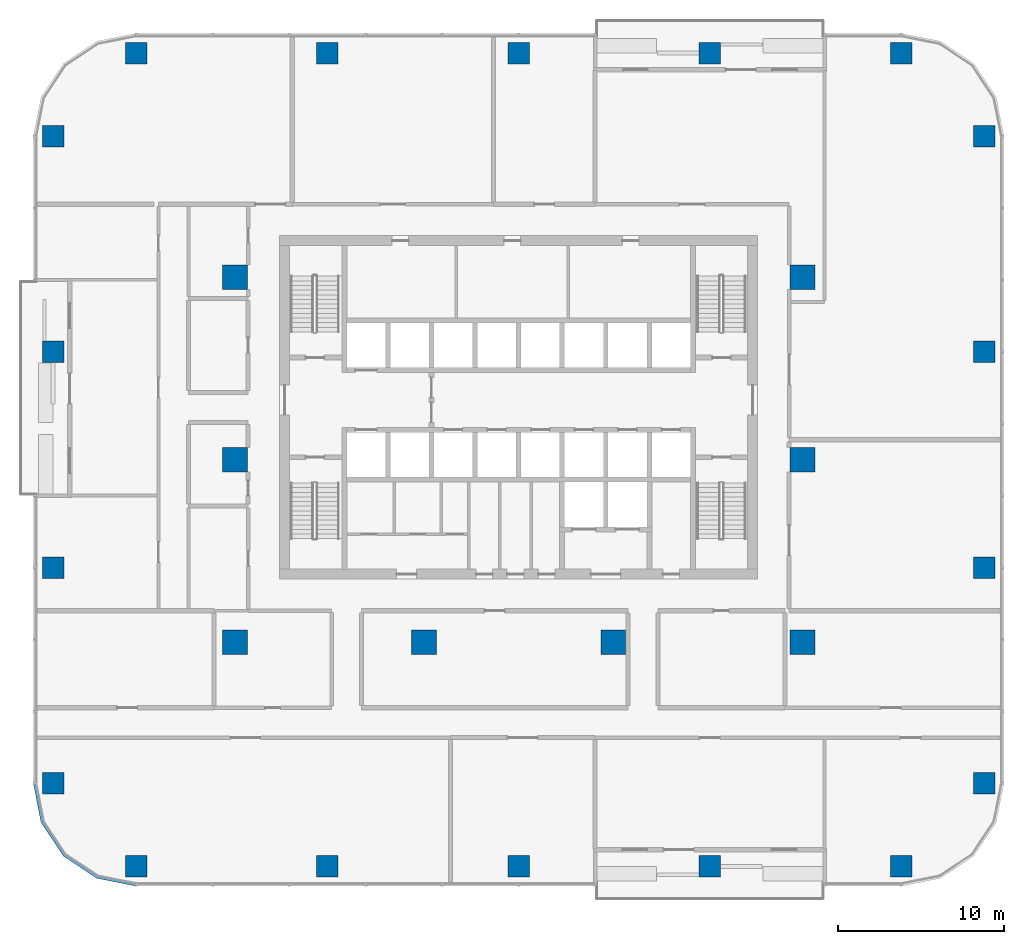
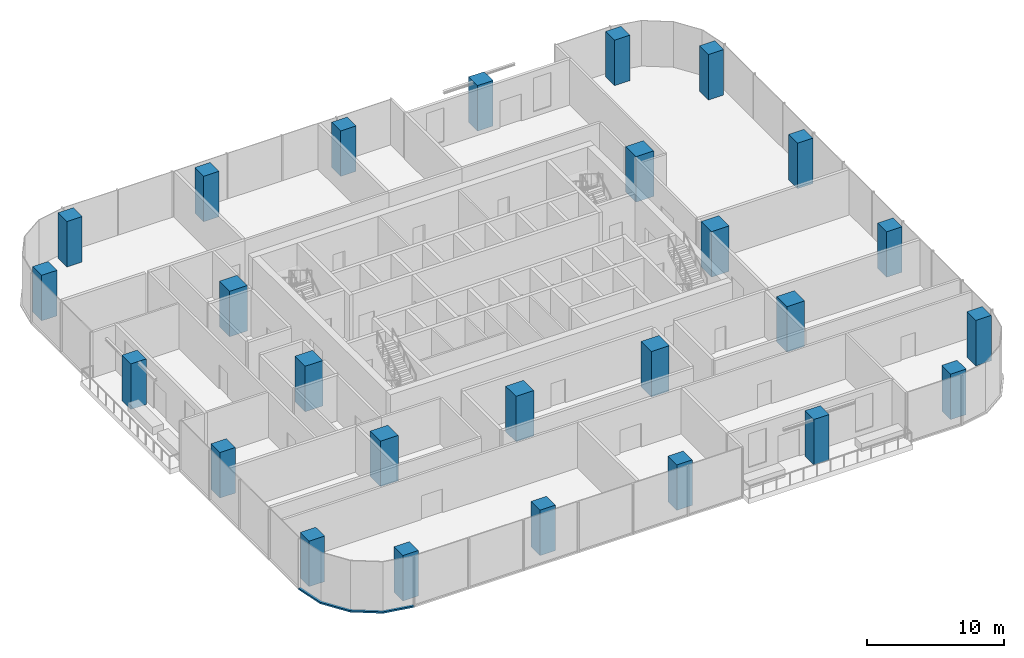
# One storey, part 1 of 15: 26 columns, 1 member, 1 element without a shape of its own.
"""IFC4 building model written with IfcOpenShell, lengths in metres."""

import ifcopenshell
import ifcopenshell.guid

model = None  # the IFC model being written
_history = None  # IfcOwnerHistory: only IFC2X3 demands one
_inside = {}  # id of a spatial element -> (the spatial element, [elements in it])
_under = {}  # id of a project, library or spatial element -> (it, [spatial elements below it])
_declared = {}  # id of a project -> (the project, [libraries it declares])
_typed = {}  # id of a type object -> (the type object, [elements of that type])
_made_of = {}  # id of a material, layer set ... -> (it, [elements and type objects made of it])


def new_model(schema):
    """Start an empty IFC model of exactly this schema.

    Asked for "IFC4X3", IfcOpenShell would pick the latest addendum, in which some entities
    have other attributes; the version numbers below select the first issue.
    IFC2X3 requires an IfcOwnerHistory on every rooted entity: one is made here for all.
    """
    global model, _history
    if schema == "IFC4X3":
        model = ifcopenshell.file(schema_version=(4, 3, 0, 0))
    else:
        model = ifcopenshell.file(schema=schema)
    _inside.clear()
    _under.clear()
    _declared.clear()
    _typed.clear()
    _made_of.clear()
    _history = None
    if model.schema == "IFC2X3":
        org = make("IfcOrganization", Name="unknown")
        user = make(
            "IfcPersonAndOrganization",
            ThePerson=make("IfcPerson", FamilyName="unknown"),
            TheOrganization=org,
        )
        app = make(
            "IfcApplication",
            ApplicationDeveloper=org,
            Version="unknown",
            ApplicationFullName="unknown",
            ApplicationIdentifier="unknown",
        )
        _history = make(
            "IfcOwnerHistory",
            OwningUser=user,
            OwningApplication=app,
            ChangeAction="ADDED",
            CreationDate=0,
        )
    return model


def make(cls, **values):
    """One entity of the class cls with the attributes given. An attribute that is None is left unset."""
    return model.create_entity(
        cls, **{name: value for name, value in values.items() if value is not None}
    )


def rooted(cls, **values):
    """An entity with a GlobalId (a new one), such as an element, a storey or a relation."""
    return make(cls, GlobalId=ifcopenshell.guid.new(), OwnerHistory=_history, **values)


def si_unit(unit_type, name, prefix=None):
    """IfcSIUnit, for example si_unit("LENGTHUNIT", "METRE", prefix="MILLI")."""
    return make("IfcSIUnit", UnitType=unit_type, Prefix=prefix, Name=name)


def assignment(units):
    """IfcUnitAssignment: the units of a project."""
    return None if units is None else make("IfcUnitAssignment", Units=units)


def point(xyz):
    """IfcCartesianPoint."""
    return None if xyz is None else make("IfcCartesianPoint", Coordinates=xyz)


def direction(xyz):
    """IfcDirection."""
    return None if xyz is None else make("IfcDirection", DirectionRatios=xyz)


def frame(location, z_axis=None, x_axis=None):
    """IfcAxis2Placement3D, a coordinate frame: its origin and axes. An axis left out is left unset."""
    return make(
        "IfcAxis2Placement3D",
        Location=point(location),
        Axis=direction(z_axis),
        RefDirection=direction(x_axis),
    )


def frame_2d(location, x_axis=None):
    """IfcAxis2Placement2D, a coordinate frame in the plane: its origin and x axis."""
    return make(
        "IfcAxis2Placement2D", Location=point(location), RefDirection=direction(x_axis)
    )


def origin():
    """The frame at (0, 0, 0) with its axes left unset."""
    return frame((0.0, 0.0, 0.0))


def origin_2d():
    """The frame at (0, 0) in the plane with its x axis left unset."""
    return frame_2d((0.0, 0.0))


def place(relative_to, where):
    """IfcLocalPlacement: puts the frame where relative to a parent placement (None: the world)."""
    return make(
        "IfcLocalPlacement", PlacementRelTo=relative_to, RelativePlacement=where
    )


def context(
    kind, dimensions, precision=None, world=None, true_north=None, identifier=None
):
    """IfcGeometricRepresentationContext, for example the 3D "Model" context."""
    return make(
        "IfcGeometricRepresentationContext",
        ContextIdentifier=identifier,
        ContextType=kind,
        CoordinateSpaceDimension=dimensions,
        Precision=precision,
        WorldCoordinateSystem=world,
        TrueNorth=true_north,
    )


def subcontext(parent, identifier, kind, view, scale=None):
    """IfcGeometricRepresentationSubContext, for example "Body" below "Model"."""
    return make(
        "IfcGeometricRepresentationSubContext",
        ContextIdentifier=identifier,
        ContextType=kind,
        ParentContext=parent,
        TargetScale=scale,
        TargetView=view,
    )


def project(units=None, contexts=None):
    """IfcProject with its units and contexts."""
    return rooted(
        "IfcProject",
        Name="project",
        RepresentationContexts=contexts,
        UnitsInContext=assignment(units),
    )


def spatial(cls, under=None, at=None, **own):
    """A site, building, storey or space (cls), placed at a placement, below another one or the project."""
    s = rooted(cls, ObjectPlacement=at, **own)
    if under is not None:
        _under.setdefault(under.id(), (under, []))[1].append(s)
    return s


def polyline(points):
    """IfcPolyline through the points."""
    return make("IfcPolyline", Points=[point(p) for p in points])


def profile(cls, at=None, kind="AREA", **sizes):
    """A parametric profile (cls). Its sizes go by their IFC names, for example OverallWidth=200.0."""
    return make(cls, ProfileType=kind, Position=at, **sizes)


def rectangle(**sizes):
    """IfcRectangleProfileDef."""
    return profile("IfcRectangleProfileDef", **sizes)


def outline(outer, holes=None, kind="AREA"):
    """IfcArbitraryClosedProfileDef: a profile drawn as a closed curve; with holes, ...WithVoids."""
    if holes is None:
        return make("IfcArbitraryClosedProfileDef", ProfileType=kind, OuterCurve=outer)
    return make(
        "IfcArbitraryProfileDefWithVoids",
        ProfileType=kind,
        OuterCurve=outer,
        InnerCurves=holes,
    )


def extrude(swept, where, along, depth):
    """IfcExtrudedAreaSolid: the profile swept, set in the frame where, extruded along a direction by depth."""
    return make(
        "IfcExtrudedAreaSolid",
        SweptArea=swept,
        Position=where,
        ExtrudedDirection=direction(along),
        Depth=depth,
    )


def shape(context_of_items, identifier, shape_type, items):
    """IfcShapeRepresentation: the items that make up one representation, for example the "Body"."""
    return make(
        "IfcShapeRepresentation",
        ContextOfItems=context_of_items,
        RepresentationIdentifier=identifier,
        RepresentationType=shape_type,
        Items=items,
    )


def material(Name=None, Category=None):
    """IfcMaterial."""
    return make("IfcMaterial", Name=Name, Category=Category)


def material_profile(
    of_material, cross_section, Name=None, Category=None, Priority=None
):
    """IfcMaterialProfile: a cross section and its material."""
    return make(
        "IfcMaterialProfile",
        Name=Name,
        Material=of_material,
        Profile=cross_section,
        Priority=Priority,
        Category=Category,
    )


def profile_set(profiles, Name=None, composite=None):
    """IfcMaterialProfileSet."""
    return make(
        "IfcMaterialProfileSet",
        Name=Name,
        MaterialProfiles=profiles,
        CompositeProfile=composite,
    )


def made_of(thing, what):
    """Note that an element or type object is made of a material, layer set ...; save() writes the relation."""
    if what is not None:
        _made_of.setdefault(what.id(), (what, []))[1].append(thing)
    return thing


def type_object(cls, material=None, **own):
    """A type object (cls), such as IfcWallType, which elements share."""
    return made_of(rooted(cls, **own), material)


def element(
    cls,
    number,
    at=None,
    inside=None,
    cuts=None,
    type_object=None,
    material=None,
    context=None,
    identifier="Body",
    shape_type=None,
    held_by="IfcProductDefinitionShape",
    body=None,
    shapes=None,
    **own,
):
    """One element of the class cls, such as IfcWall. Its Tag is "e" and its number.

    at: its placement. inside: the storey or other place that contains it. cuts: it is an
    opening in that element (IfcRelVoidsElement). A single representation is given by context,
    identifier, shape_type and body (its items); several are given by shapes. held_by: the class
    of the entity that holds the representations. save() writes the other relations.
    """
    e = rooted(cls, Tag="e%d" % number, ObjectPlacement=at, **own)
    if body is not None:
        shapes = [shape(context, identifier, shape_type, body)]
    if shapes is not None:
        e.Representation = make(held_by, Representations=shapes)
    if inside is not None:
        _inside.setdefault(inside.id(), (inside, []))[1].append(e)
    if cuts is not None:
        rooted(
            "IfcRelVoidsElement", RelatingBuildingElement=cuts, RelatedOpeningElement=e
        )
    if type_object is not None:
        _typed.setdefault(type_object.id(), (type_object, []))[1].append(e)
    return made_of(e, material)


def aggregate(whole, parts):
    """IfcRelAggregates: a whole, such as a stair, and the parts it consists of."""
    return rooted("IfcRelAggregates", RelatingObject=whole, RelatedObjects=parts)


def save(model, path):
    """Write the relations noted so far, then the file.

    IfcRelAggregates (storeys below a building ...), IfcRelContainedInSpatialStructure (elements
    in a storey), IfcRelDefinesByType, IfcRelAssociatesMaterial and IfcRelDeclares: one each for
    every whole, place, type object, material and project.
    """
    for whole, parts in _under.values():
        aggregate(whole, parts)
    for where, things in _inside.values():
        rooted(
            "IfcRelContainedInSpatialStructure",
            RelatedElements=things,
            RelatingStructure=where,
        )
    for kind, things in _typed.values():
        rooted("IfcRelDefinesByType", RelatedObjects=things, RelatingType=kind)
    for what, things in _made_of.values():
        rooted("IfcRelAssociatesMaterial", RelatedObjects=things, RelatingMaterial=what)
    for by, libraries in _declared.values():
        rooted("IfcRelDeclares", RelatingContext=by, RelatedDefinitions=libraries)
    model.write(path)


model = new_model("IFC4")

# Units and contexts
model_context = context("Model", 3, precision=1e-05, world=origin(), true_north=direction((0.0, 1.0)))
body_context = subcontext(model_context, "Body", "Model", "MODEL_VIEW")
ifc_project = project(units=[si_unit("LENGTHUNIT", "METRE"), si_unit("AREAUNIT", "SQUARE_METRE"), si_unit("VOLUMEUNIT", "CUBIC_METRE"), si_unit("PLANEANGLEUNIT", "RADIAN"), si_unit("MASSUNIT", "GRAM", prefix="KILO")], contexts=[model_context])

# Site, building, storey
site_placement = place(None, origin())
site = spatial("IfcSite", under=ifc_project, at=site_placement, CompositionType="ELEMENT")
building_placement = place(site_placement, origin())
building = spatial("IfcBuilding", under=site, at=building_placement, Name="Mopane Tessera Tower", CompositionType="ELEMENT")
storey_placement = place(building_placement, frame((0.0, 0.0, 112.60009765625)))
storey = spatial("IfcBuildingStorey", under=building, at=storey_placement, Name="L22", CompositionType="ELEMENT", Elevation=112.60009765625)

# Columns
ifc_material_1 = material(Name="Concrete C60/75", Category="concrete")
ifc_material_profile_1 = material_profile(ifc_material_1, rectangle(XDim=1.5, YDim=1.5, at=origin_2d()))
ifc_profile_set_1 = profile_set([ifc_material_profile_1], Name="Concrete C60/75")
column_type_1 = type_object("IfcColumnType", Name="Interior column 1500 x 1500 C60/75", PredefinedType="COLUMN", material=ifc_profile_set_1)
for number, where, z_axis, x_axis, name in (
    (1, (-17.10009765625, -11.0, 0.0), (0.0, 0.0, 1.0), (1.0, 0.0, 0.0), "Interior column I1A L22"),
    (2, (-17.10009765625, 0.0, 0.0), (0.0, 0.0, 1.0), (1.0, 0.0, 0.0), "Interior column I1B L22"),
    (3, (-17.10009765625, 11.0, 0.0), (0.0, 0.0, 1.0), (1.0, 0.0, 0.0), "Interior column I1C L22"),
    (4, (-5.699951171875, -11.0, 0.0), (0.0, 0.0, 1.0), (1.0, 0.0, 0.0), "Interior column I2A L22"),
    (5, (5.699951171875, -11.0, 0.0), (0.0, 0.0, 1.0), (1.0, 0.0, 0.0), "Interior column I3A L22"),
    (6, (17.10009765625, -11.0, 0.0), (0.0, 0.0, 1.0), (1.0, 0.0, 0.0), "Interior column I4A L22"),
    (7, (17.10009765625, 0.0, 0.0), (0.0, 0.0, 1.0), (1.0, 0.0, 0.0), "Interior column I4B L22"),
    (8, (17.10009765625, 11.0, 0.0), (0.0, 0.0, 1.0), (1.0, 0.0, 0.0), "Interior column I4C L22"),
):
    element("IfcColumn", number, at=place(storey_placement, frame(where, z_axis=z_axis, x_axis=x_axis)), inside=storey, type_object=column_type_1, Name=name, PredefinedType="COLUMN", context=body_context, shape_type="SweptSolid", body=[
        extrude(rectangle(XDim=1.5, YDim=1.5, at=origin_2d()), origin(), (0.0, 0.0, 1.0), 4.0498046875),
    ])
ifc_material_2 = material(Name="Concrete C60/75", Category="concrete")
ifc_material_profile_2 = material_profile(ifc_material_2, rectangle(XDim=1.300048828125, YDim=1.300048828125, at=origin_2d()))
ifc_profile_set_2 = profile_set([ifc_material_profile_2], Name="Concrete C60/75")
column_type_2 = type_object("IfcColumnType", Name="Ring column 1300 x 1300 C60/75", PredefinedType="COLUMN", material=ifc_profile_set_2)
for number, where, z_axis, x_axis, name in (
    (9, (-23.050048828125, -24.5, 0.0), (0.0, 0.0, 1.0), (1.0, 0.0, 0.0), "Ring column S0 L22"),
    (10, (-11.52490234375, -24.5, 0.0), (0.0, 0.0, 1.0), (1.0, 0.0, 0.0), "Ring column S1 L22"),
    (11, (0.0, -24.5, 0.0), (0.0, 0.0, 1.0), (1.0, 0.0, 0.0), "Ring column S2 L22"),
    (12, (11.52490234375, -24.5, 0.0), (0.0, 0.0, 1.0), (1.0, 0.0, 0.0), "Ring column S3 L22"),
    (13, (23.050048828125, -24.5, 0.0), (0.0, 0.0, 1.0), (1.0, 0.0, 0.0), "Ring column S4 L22"),
    (14, (28.050048828125, -19.5, 0.0), (0.0, 0.0, 1.0), (1.0, 0.0, 0.0), "Ring column E0 L22"),
    (15, (28.050048828125, -6.5, 0.0), (0.0, 0.0, 1.0), (1.0, 0.0, 0.0), "Ring column E1 L22"),
    (16, (28.050048828125, 6.5, 0.0), (0.0, 0.0, 1.0), (1.0, 0.0, 0.0), "Ring column E2 L22"),
    (17, (28.050048828125, 19.5, 0.0), (0.0, 0.0, 1.0), (1.0, 0.0, 0.0), "Ring column E3 L22"),
    (18, (23.050048828125, 24.5, 0.0), (0.0, 0.0, 1.0), (1.0, 0.0, 0.0), "Ring column N0 L22"),
    (19, (11.52490234375, 24.5, 0.0), (0.0, 0.0, 1.0), (1.0, 0.0, 0.0), "Ring column N1 L22"),
    (20, (0.0, 24.5, 0.0), (0.0, 0.0, 1.0), (1.0, 0.0, 0.0), "Ring column N2 L22"),
    (21, (-11.52490234375, 24.5, 0.0), (0.0, 0.0, 1.0), (1.0, 0.0, 0.0), "Ring column N3 L22"),
    (22, (-23.050048828125, 24.5, 0.0), (0.0, 0.0, 1.0), (1.0, 0.0, 0.0), "Ring column N4 L22"),
    (23, (-28.050048828125, 19.5, 0.0), (0.0, 0.0, 1.0), (1.0, 0.0, 0.0), "Ring column W0 L22"),
    (24, (-28.050048828125, 6.5, 0.0), (0.0, 0.0, 1.0), (1.0, 0.0, 0.0), "Ring column W1 L22"),
    (25, (-28.050048828125, -6.5, 0.0), (0.0, 0.0, 1.0), (1.0, 0.0, 0.0), "Ring column W2 L22"),
    (26, (-28.050048828125, -19.5, 0.0), (0.0, 0.0, 1.0), (1.0, 0.0, 0.0), "Ring column W3 L22"),
):
    element("IfcColumn", number, at=place(storey_placement, frame(where, z_axis=z_axis, x_axis=x_axis)), inside=storey, type_object=column_type_2, Name=name, PredefinedType="COLUMN", context=body_context, shape_type="SweptSolid", body=[
        extrude(rectangle(XDim=1.300048828125, YDim=1.300048828125, at=origin_2d()), origin(), (0.0, 0.0, 1.0), 4.0498046875),
    ])

# Curtain wall, member
ifc_material_3 = material(Name="Aluminium frame", Category="aluminium")
curtain_wall_type = type_object("IfcCurtainWallType", Name="Lower tower unitised wall", PredefinedType="NOTDEFINED", material=ifc_material_3)
curtain_wall_placement = place(storey_placement, origin())
curtain_wall = element("IfcCurtainWall", 27, at=curtain_wall_placement, inside=storey, type_object=curtain_wall_type, Name="e:cw:L22:CW", PredefinedType="NOTDEFINED")
ifc_material_4 = material(Name="Aluminium frame", Category="aluminium")
ifc_material_profile_3 = material_profile(ifc_material_4, rectangle(XDim=0.199951171875, YDim=0.139892578125, at=origin_2d()))
ifc_profile_set_3 = profile_set([ifc_material_profile_3], Name="Aluminium frame")
member_type = type_object("IfcMemberType", Name="Aluminium transom 200 x 140", PredefinedType="USERDEFINED", material=ifc_profile_set_3)
member_placement = place(storey_placement, frame((0.0, 0.0, -0.4501953125)))
member = element("IfcMember", 28, at=member_placement, type_object=member_type, Name="e:cw:L22:CW:tr", ObjectType="TRANSOM", PredefinedType="USERDEFINED", context=body_context, shape_type="SweptSolid", body=[
    extrude(outline(polyline([(-29.050048828125, -19.5), (-28.59326171875, -21.796142578125), (-27.292724609375, -23.74267578125), (-25.34619140625, -25.043212890625), (-23.050048828125, -25.5), (-23.050048828125, -25.699951171875), (-25.422607421875, -25.22802734375), (-27.43408203125, -23.884033203125), (-28.778076171875, -21.87255859375), (-29.25, -19.5), (-29.050048828125, -19.5)])), origin(), (0.0, 0.0, 1.0), 0.14013671875),
])
aggregate(curtain_wall, [member])

save(model, "model.ifc")
